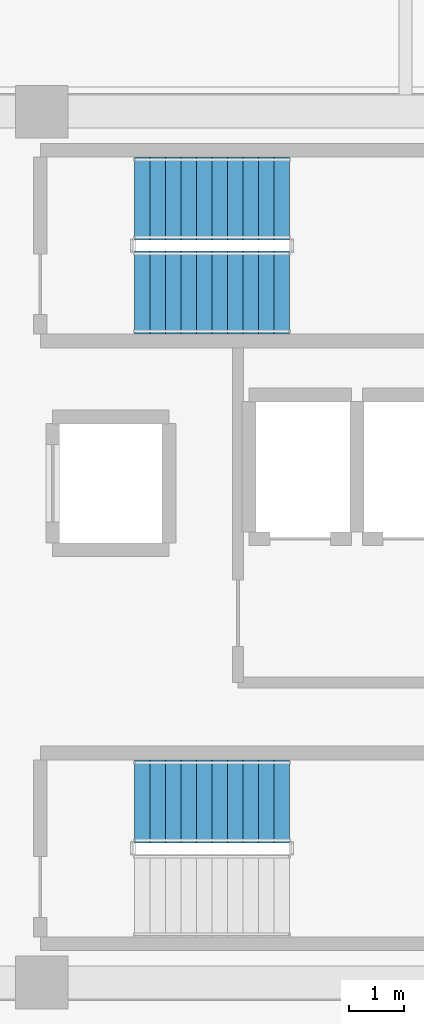
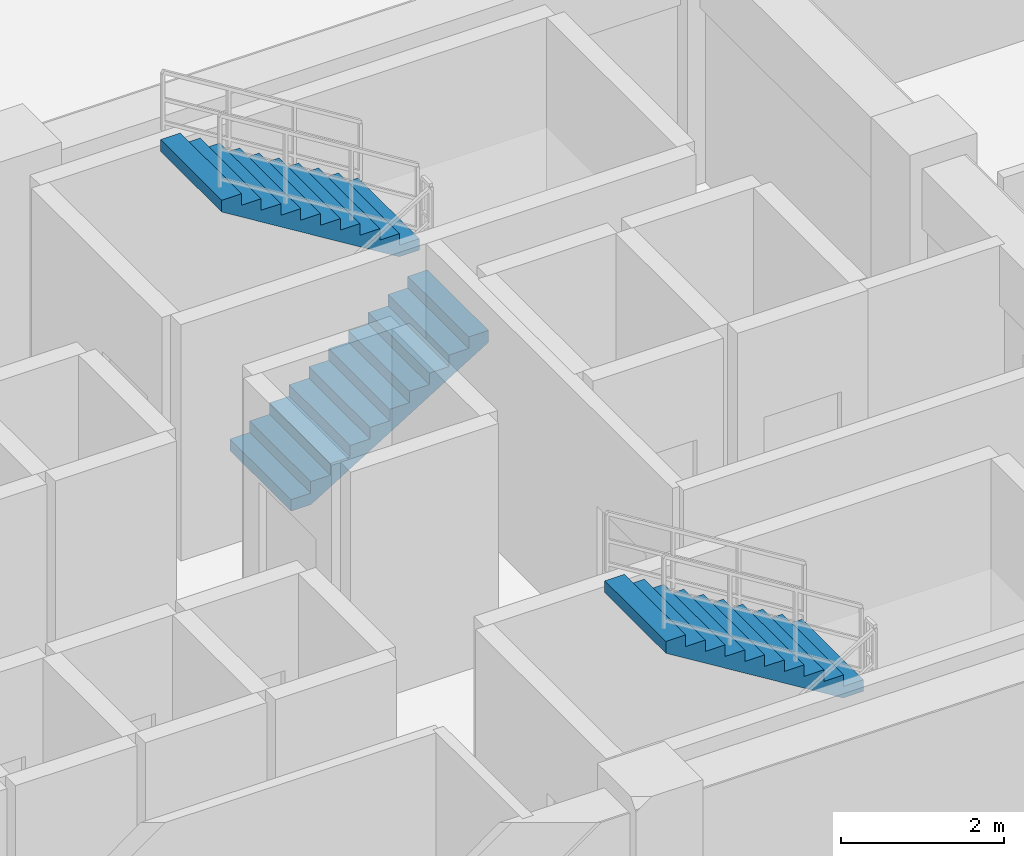
# One storey, part 6 of 8: 3 stair flights, 2 elements without a shape of their own.
"""IFC4 building model written with IfcOpenShell, lengths in metres."""

from ifc_helpers import new_model, si_unit, direction, frame, origin, place, context, subcontext, project, spatial, polyline, outline, extrude, material, type_object, element, aggregate, save


model = new_model("IFC4")

# Units and contexts
model_context = context("Model", 3, precision=1e-05, world=origin(), true_north=direction((0.0, 1.0)))
body_context = subcontext(model_context, "Body", "Model", "MODEL_VIEW")
ifc_project = project(units=[si_unit("LENGTHUNIT", "METRE"), si_unit("AREAUNIT", "SQUARE_METRE"), si_unit("VOLUMEUNIT", "CUBIC_METRE"), si_unit("PLANEANGLEUNIT", "RADIAN"), si_unit("MASSUNIT", "GRAM", prefix="KILO")], contexts=[model_context])

# Site, building, storey
site_placement = place(None, origin())
site = spatial("IfcSite", under=ifc_project, at=site_placement, CompositionType="ELEMENT")
building_placement = place(site_placement, origin())
building = spatial("IfcBuilding", under=site, at=building_placement, Name="Zulverin Broadcast Headquarters", CompositionType="ELEMENT")
storey_placement = place(building_placement, frame((0.0, 0.0, 182.0)))
storey = spatial("IfcBuildingStorey", under=building, at=storey_placement, Name="L46", CompositionType="ELEMENT", Elevation=182.0)

# Stair, stair flights
ifc_material = material(Name="Concrete C40/50", Category="concrete")
stair_type = type_object("IfcStairType", Name="ST-CORE-1500", PredefinedType="HALF_TURN_STAIR", material=ifc_material)
stair_1_placement = place(storey_placement, origin())
stair_1 = element("IfcStair", 1, at=stair_1_placement, inside=storey, type_object=stair_type, Name="L46 Core Exit Stair ST-1", PredefinedType="HALF_TURN_STAIR")
stair_flight_type = type_object("IfcStairFlightType", Name="SF-CORE-1500", PredefinedType="STRAIGHT", material=ifc_material)
stair_flight_1_placement = place(storey_placement, frame((40.1298828125, 29.800048828125, 0.0), z_axis=(0.0, 0.0, 1.0), x_axis=(1.0, 0.0, 0.0)))
stair_flight_1 = element("IfcStairFlight", 2, at=stair_flight_1_placement, type_object=stair_flight_type, Name="ST-1 flight 1", NumberOfRisers=11, NumberOfTreads=10, PredefinedType="STRAIGHT", RiserHeight=0.172727273, TreadLength=0.28, context=body_context, shape_type="SweptSolid", body=[
    extrude(outline(polyline([(0.0, 0.0), (0.0, 0.172607421875), (0.280029296875, 0.172607421875), (0.280029296875, 0.345458984375), (0.56005859375, 0.345458984375), (0.56005859375, 0.51806640625), (0.840087890625, 0.51806640625), (0.840087890625, 0.69091796875), (1.1201171875, 0.69091796875), (1.1201171875, 0.863525390625), (1.39990234375, 0.863525390625), (1.39990234375, 1.036376953125), (1.679931640625, 1.036376953125), (1.679931640625, 1.208984375), (1.9599609375, 1.208984375), (1.9599609375, 1.3818359375), (2.239990234375, 1.3818359375), (2.239990234375, 1.554443359375), (2.52001953125, 1.554443359375), (2.52001953125, 1.727294921875), (2.800048828125, 1.727294921875), (2.800048828125, 1.89990234375), (2.800048828125, 1.551025390625), (0.285400390625, 0.0), (0.0, 0.0)])), frame((0.0, 0.75, 0.0), z_axis=(0.0, -1.0, 0.0), x_axis=(1.0, 0.0, 0.0)), (0.0, 0.0, 1.0), 1.5),
])
stair_flight_2_placement = place(storey_placement, frame((42.929931640625, 31.5, 1.89990234375), z_axis=(0.0, 0.0, 1.0), x_axis=(-1.0, 0.0, 0.0)))
stair_flight_2 = element("IfcStairFlight", 3, at=stair_flight_2_placement, type_object=stair_flight_type, Name="ST-1 flight 2", NumberOfRisers=11, NumberOfTreads=10, PredefinedType="STRAIGHT", RiserHeight=0.172727273, TreadLength=0.28, context=body_context, shape_type="SweptSolid", body=[
    extrude(outline(polyline([(0.0, 0.0), (0.0, 0.172607421875), (0.280029296875, 0.172607421875), (0.280029296875, 0.345458984375), (0.56005859375, 0.345458984375), (0.56005859375, 0.51806640625), (0.840087890625, 0.51806640625), (0.840087890625, 0.69091796875), (1.1201171875, 0.69091796875), (1.1201171875, 0.863525390625), (1.39990234375, 0.863525390625), (1.39990234375, 1.036376953125), (1.679931640625, 1.036376953125), (1.679931640625, 1.208984375), (1.9599609375, 1.208984375), (1.9599609375, 1.3818359375), (2.239990234375, 1.3818359375), (2.239990234375, 1.554443359375), (2.52001953125, 1.554443359375), (2.52001953125, 1.727294921875), (2.800048828125, 1.727294921875), (2.800048828125, 1.89990234375), (2.800048828125, 1.551025390625), (0.285400390625, 0.0), (0.0, 0.0)])), frame((0.0, 0.75, 0.0), z_axis=(0.0, -1.0, 0.0), x_axis=(1.0, 0.0, 0.0)), (0.0, 0.0, 1.0), 1.5),
])
aggregate(stair_1, [stair_flight_1, stair_flight_2])

# Stair, stair flight
stair_2_placement = place(storey_placement, origin())
stair_2 = element("IfcStair", 4, at=stair_2_placement, inside=storey, type_object=stair_type, Name="L46 Core Exit Stair ST-2", PredefinedType="HALF_TURN_STAIR")
stair_flight_3_placement = place(storey_placement, frame((42.929931640625, 20.60009765625, 1.89990234375), z_axis=(0.0, 0.0, 1.0), x_axis=(-1.0, 0.0, 0.0)))
stair_flight_3 = element("IfcStairFlight", 5, at=stair_flight_3_placement, type_object=stair_flight_type, Name="ST-2 flight 2", NumberOfRisers=11, NumberOfTreads=10, PredefinedType="STRAIGHT", RiserHeight=0.172727273, TreadLength=0.28, context=body_context, shape_type="SweptSolid", body=[
    extrude(outline(polyline([(0.0, 0.0), (0.0, 0.172607421875), (0.280029296875, 0.172607421875), (0.280029296875, 0.345458984375), (0.56005859375, 0.345458984375), (0.56005859375, 0.51806640625), (0.840087890625, 0.51806640625), (0.840087890625, 0.69091796875), (1.1201171875, 0.69091796875), (1.1201171875, 0.863525390625), (1.39990234375, 0.863525390625), (1.39990234375, 1.036376953125), (1.679931640625, 1.036376953125), (1.679931640625, 1.208984375), (1.9599609375, 1.208984375), (1.9599609375, 1.3818359375), (2.239990234375, 1.3818359375), (2.239990234375, 1.554443359375), (2.52001953125, 1.554443359375), (2.52001953125, 1.727294921875), (2.800048828125, 1.727294921875), (2.800048828125, 1.89990234375), (2.800048828125, 1.551025390625), (0.285400390625, 0.0), (0.0, 0.0)])), frame((0.0, 0.75, 0.0), z_axis=(0.0, -1.0, 0.0), x_axis=(1.0, 0.0, 0.0)), (0.0, 0.0, 1.0), 1.5),
])
aggregate(stair_2, [stair_flight_3])

save(model, "model.ifc")
